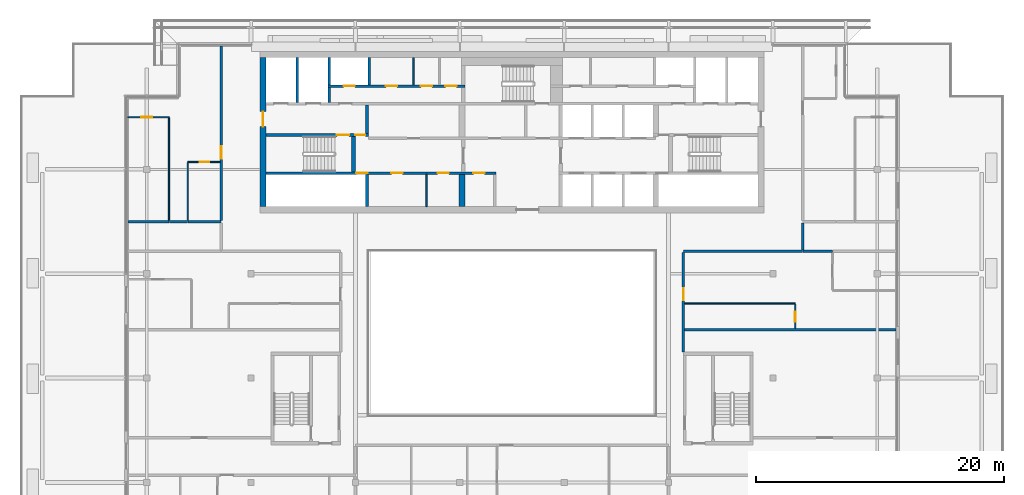
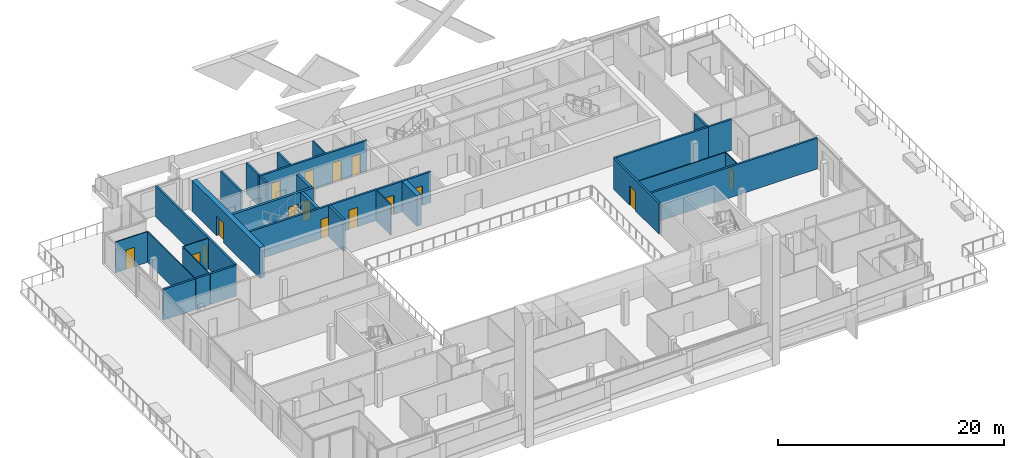
# One storey, part 19 of 29: 29 walls, 16 doors, 16 openings.
"""IFC4 building model written with IfcOpenShell, lengths in metres."""

from ifc_helpers import new_model, si_unit, direction, frame, frame_2d, origin, place, context, subcontext, project, spatial, rectangle, extrude, material, layer, layer_set, type_object, element, fill, save


model = new_model("IFC4")

# Units and contexts
model_context = context("Model", 3, precision=1e-05, world=origin(), true_north=direction((0.0, 1.0)))
body_context = subcontext(model_context, "Body", "Model", "MODEL_VIEW")
ifc_project = project(units=[si_unit("LENGTHUNIT", "METRE"), si_unit("AREAUNIT", "SQUARE_METRE"), si_unit("VOLUMEUNIT", "CUBIC_METRE"), si_unit("PLANEANGLEUNIT", "RADIAN"), si_unit("MASSUNIT", "GRAM", prefix="KILO")], contexts=[model_context])

# Site, building, storey
site_placement = place(None, origin())
site = spatial("IfcSite", under=ifc_project, at=site_placement, CompositionType="ELEMENT")
building_placement = place(site_placement, origin())
building = spatial("IfcBuilding", under=site, at=building_placement, Name="Saffron Gate Tower", CompositionType="ELEMENT")
storey_placement = place(building_placement, frame((0.0, 0.0, 270.75)))
storey = spatial("IfcBuildingStorey", under=building, at=storey_placement, Name="L65", CompositionType="ELEMENT", Elevation=270.75)

# Wall, opening, door
ifc_material_1 = material(Name="Concrete C50", Category="concrete")
ifc_layer_1 = layer(ifc_material_1, 0.5)
ifc_layer_set_1 = layer_set([ifc_layer_1], Name="CW22 RC core wall 500 C50")
wall_type_1 = type_object("IfcWallType", Name="CW22 RC core wall 500 C50", PredefinedType="SOLIDWALL", material=ifc_layer_set_1)
wall_1_placement = place(storey_placement, frame((67.550048828125, 62.39990234375, 0.0), z_axis=(0.0, 0.0, 1.0), x_axis=(0.0, 1.0, 0.0)))
wall_1 = element("IfcWall", 1, at=wall_1_placement, inside=storey, type_object=wall_type_1, Name="Wall CW22-L65-3", PredefinedType="SOLIDWALL", context=body_context, shape_type="SweptSolid", body=[
    extrude(rectangle(XDim=12.0, YDim=0.5, at=frame_2d((6.0, 0.0))), origin(), (0.0, 0.0, 1.0), 3.320068359375),
])
opening_1_placement = place(wall_1_placement, frame((6.449951171875, 0.0, 0.0)))
opening_1 = element("IfcOpeningElement", 2, at=opening_1_placement, cuts=wall_1, Name="Opening CR-10", PredefinedType="OPENING", context=body_context, shape_type="SweptSolid", body=[
    extrude(rectangle(XDim=1.199951171875, YDim=2.10009765625, at=frame_2d((0.60009765625, 1.050048828125))), frame((0.0, 0.260009765625, 0.0), z_axis=(0.0, -1.0, 0.0), x_axis=(1.0, 0.0, 0.0)), (0.0, 0.0, 1.0), 0.52001953125),
])
ifc_material_2 = material(Name="Steel fire door set", Category="steel")
door_type_1 = type_object("IfcDoorType", Name="CD7 Core entrance door 1200x2100 EI 120", OperationType="NOTDEFINED", PredefinedType="DOOR", material=ifc_material_2)
door_1_placement = place(opening_1_placement, origin())
door_1 = element("IfcDoor", 3, at=door_1_placement, inside=storey, type_object=door_type_1, Name="DOOR CR-10", OperationType="SINGLE_SWING_LEFT", OverallHeight=2.10009765625, OverallWidth=1.199951171875, PredefinedType="DOOR", context=body_context, shape_type="SweptSolid", body=[
    extrude(rectangle(XDim=1.199951171875, YDim=2.10009765625, at=frame_2d((0.60009765625, 1.050048828125))), frame((0.0, 0.02490234375, 0.0), z_axis=(0.0, -1.0, 0.0), x_axis=(1.0, 0.0, 0.0)), (0.0, 0.0, 1.0), 0.050048828125),
])
fill(opening_1, door_1)

# Wall
ifc_layer_2 = layer(ifc_material_1, 0.25)
ifc_layer_set_2 = layer_set([ifc_layer_2], Name="CW23 RC core wall 250 C50")
wall_type_2 = type_object("IfcWallType", Name="CW23 RC core wall 250 C50", PredefinedType="SOLIDWALL", material=ifc_layer_set_2)
wall_2_placement = place(storey_placement, frame((75.925048828125, 62.39990234375, 0.0), z_axis=(0.0, 0.0, 1.0), x_axis=(0.0, 1.0, 0.0)))
element("IfcWall", 4, at=wall_2_placement, inside=storey, type_object=wall_type_2, Name="Wall CW23-L65-5", PredefinedType="SOLIDWALL", context=body_context, shape_type="SweptSolid", body=[
    extrude(rectangle(XDim=2.60009765625, YDim=0.25, at=frame_2d((1.300048828125, 0.0))), origin(), (0.0, 0.0, 1.0), 3.320068359375),
])

# Wall, openings, doors
wall_3_placement = place(storey_placement, frame((67.800048828125, 68.175048828125, 0.0), z_axis=(0.0, 0.0, 1.0), x_axis=(1.0, 0.0, 0.0)))
wall_3 = element("IfcWall", 5, at=wall_3_placement, inside=storey, type_object=wall_type_2, Name="Wall CW23-L65-26", PredefinedType="SOLIDWALL", context=body_context, shape_type="SweptSolid", body=[
    extrude(rectangle(XDim=8.25, YDim=0.25, at=frame_2d((4.125, 0.0))), origin(), (0.0, 0.0, 1.0), 3.320068359375),
])
opening_2_placement = place(wall_3_placement, frame((5.699951171875, 0.0, 0.0)))
opening_2 = element("IfcOpeningElement", 6, at=opening_2_placement, cuts=wall_3, Name="Opening CR-15", PredefinedType="OPENING", context=body_context, shape_type="SweptSolid", body=[
    extrude(rectangle(XDim=1.0, YDim=2.10009765625, at=frame_2d((0.5, 1.050048828125))), frame((0.0, 0.135009765625, 0.0), z_axis=(0.0, -1.0, 0.0), x_axis=(1.0, 0.0, 0.0)), (0.0, 0.0, 1.0), 0.27001953125),
])
opening_3_placement = place(wall_3_placement, frame((7.199951171875, 0.0, 0.0)))
opening_3 = element("IfcOpeningElement", 7, at=opening_3_placement, cuts=wall_3, Name="Opening CR-06", PredefinedType="OPENING", context=body_context, shape_type="SweptSolid", body=[
    extrude(rectangle(XDim=0.800048828125, YDim=2.10009765625, at=frame_2d((0.39990234375, 1.050048828125))), frame((0.0, 0.135009765625, 0.0), z_axis=(0.0, -1.0, 0.0), x_axis=(1.0, 0.0, 0.0)), (0.0, 0.0, 1.0), 0.27001953125),
])
door_type_2 = type_object("IfcDoorType", Name="CD5 Stair door 1000x2100 EI 120", OperationType="NOTDEFINED", PredefinedType="DOOR", material=ifc_material_2)
door_2_placement = place(opening_2_placement, origin())
door_2 = element("IfcDoor", 8, at=door_2_placement, inside=storey, type_object=door_type_2, Name="DOOR CR-15", OperationType="SINGLE_SWING_RIGHT", OverallHeight=2.10009765625, OverallWidth=1.0, PredefinedType="DOOR", context=body_context, shape_type="SweptSolid", body=[
    extrude(rectangle(XDim=1.0, YDim=2.10009765625, at=frame_2d((0.5, 1.050048828125))), frame((0.0, 0.02490234375, 0.0), z_axis=(0.0, -1.0, 0.0), x_axis=(1.0, 0.0, 0.0)), (0.0, 0.0, 1.0), 0.050048828125),
])
fill(opening_2, door_2)
door_type_3 = type_object("IfcDoorType", Name="CD6 Lobby door 800x2100 EI 120", OperationType="NOTDEFINED", PredefinedType="DOOR", material=ifc_material_2)
door_3_placement = place(opening_3_placement, origin())
door_3 = element("IfcDoor", 9, at=door_3_placement, inside=storey, type_object=door_type_3, Name="DOOR CR-06", OperationType="SINGLE_SWING_LEFT", OverallHeight=2.10009765625, OverallWidth=0.800048828125, PredefinedType="DOOR", context=body_context, shape_type="SweptSolid", body=[
    extrude(rectangle(XDim=0.800048828125, YDim=2.10009765625, at=frame_2d((0.39990234375, 1.050048828125))), frame((0.0, 0.02490234375, 0.0), z_axis=(0.0, -1.0, 0.0), x_axis=(1.0, 0.0, 0.0)), (0.0, 0.0, 1.0), 0.050048828125),
])
fill(opening_3, door_3)

# Walls
wall_4_placement = place(storey_placement, frame((75.925048828125, 68.300048828125, 0.0), z_axis=(0.0, 0.0, 1.0), x_axis=(0.0, 1.0, 0.0)))
element("IfcWall", 10, at=wall_4_placement, inside=storey, type_object=wall_type_2, Name="Wall CW23-L65-28", PredefinedType="SOLIDWALL", context=body_context, shape_type="SweptSolid", body=[
    extrude(rectangle(XDim=2.300048828125, YDim=0.25, at=frame_2d((1.14990234375, 0.0))), origin(), (0.0, 0.0, 1.0), 3.320068359375),
])
ifc_layer_3 = layer(ifc_material_1, 0.449951171875)
ifc_layer_set_3 = layer_set([ifc_layer_3], Name="CW24 RC core wall 450 C50")
wall_type_3 = type_object("IfcWallType", Name="CW24 RC core wall 450 C50", PredefinedType="SOLIDWALL", material=ifc_layer_set_3)
wall_5_placement = place(storey_placement, frame((83.574951171875, 62.39990234375, 0.0), z_axis=(0.0, 0.0, 1.0), x_axis=(0.0, 1.0, 0.0)))
element("IfcWall", 11, at=wall_5_placement, inside=storey, type_object=wall_type_3, Name="Wall CW24-L65-7", PredefinedType="SOLIDWALL", context=body_context, shape_type="SweptSolid", body=[
    extrude(rectangle(XDim=2.60009765625, YDim=0.449951171875, at=frame_2d((1.300048828125, 0.0))), origin(), (0.0, 0.0, 1.0), 3.320068359375),
])

# Wall, openings, doors
ifc_layer_4 = layer(ifc_material_1, 0.199951171875)
ifc_layer_set_4 = layer_set([ifc_layer_4], Name="CW25 RC core wall 200 C50")
wall_type_4 = type_object("IfcWallType", Name="CW25 RC core wall 200 C50", PredefinedType="SOLIDWALL", material=ifc_layer_set_4)
wall_6_placement = place(storey_placement, frame((67.800048828125, 65.10009765625, 0.0), z_axis=(0.0, 0.0, 1.0), x_axis=(1.0, 0.0, 0.0)))
wall_6 = element("IfcWall", 12, at=wall_6_placement, inside=storey, type_object=wall_type_4, Name="Wall CW25-L65-13", PredefinedType="SOLIDWALL", context=body_context, shape_type="SweptSolid", body=[
    extrude(rectangle(XDim=18.5, YDim=0.199951171875, at=frame_2d((9.25, 0.0))), origin(), (0.0, 0.0, 1.0), 3.320068359375),
])
opening_4_placement = place(wall_6_placement, frame((7.27001953125, 0.0, 0.0)))
opening_4 = element("IfcOpeningElement", 13, at=opening_4_placement, cuts=wall_6, Name="Opening CR-49", PredefinedType="OPENING", context=body_context, shape_type="SweptSolid", body=[
    extrude(rectangle(XDim=0.89990234375, YDim=2.10009765625, at=frame_2d((0.449951171875, 1.050048828125))), frame((0.0, 0.10986328125, 0.0), z_axis=(0.0, -1.0, 0.0), x_axis=(1.0, 0.0, 0.0)), (0.0, 0.0, 1.0), 0.219970703125),
])
opening_5_placement = place(wall_6_placement, frame((10.10009765625, 0.0, 0.0)))
opening_5 = element("IfcOpeningElement", 14, at=opening_5_placement, cuts=wall_6, Name="Opening CR-64", PredefinedType="OPENING", context=body_context, shape_type="SweptSolid", body=[
    extrude(rectangle(XDim=0.89990234375, YDim=2.10009765625, at=frame_2d((0.449951171875, 1.050048828125))), frame((0.0, 0.10986328125, 0.0), z_axis=(0.0, -1.0, 0.0), x_axis=(1.0, 0.0, 0.0)), (0.0, 0.0, 1.0), 0.219970703125),
])
opening_6_placement = place(wall_6_placement, frame((13.81005859375, 0.0, 0.0)))
opening_6 = element("IfcOpeningElement", 15, at=opening_6_placement, cuts=wall_6, Name="Opening CR-65", PredefinedType="OPENING", context=body_context, shape_type="SweptSolid", body=[
    extrude(rectangle(XDim=0.89990234375, YDim=2.10009765625, at=frame_2d((0.449951171875, 1.050048828125))), frame((0.0, 0.10986328125, 0.0), z_axis=(0.0, -1.0, 0.0), x_axis=(1.0, 0.0, 0.0)), (0.0, 0.0, 1.0), 0.219970703125),
])
opening_7_placement = place(wall_6_placement, frame((16.699951171875, 0.0, 0.0)))
opening_7 = element("IfcOpeningElement", 16, at=opening_7_placement, cuts=wall_6, Name="Opening CR-69", PredefinedType="OPENING", context=body_context, shape_type="SweptSolid", body=[
    extrude(rectangle(XDim=0.89990234375, YDim=2.10009765625, at=frame_2d((0.449951171875, 1.050048828125))), frame((0.0, 0.10986328125, 0.0), z_axis=(0.0, -1.0, 0.0), x_axis=(1.0, 0.0, 0.0)), (0.0, 0.0, 1.0), 0.219970703125),
])
door_type_4 = type_object("IfcDoorType", Name="CD2 Riser door 900x2100 EI 60", OperationType="NOTDEFINED", PredefinedType="DOOR", material=ifc_material_2)
door_4_placement = place(opening_4_placement, origin())
door_4 = element("IfcDoor", 17, at=door_4_placement, inside=storey, type_object=door_type_4, Name="DOOR CR-49", OperationType="SINGLE_SWING_LEFT", OverallHeight=2.10009765625, OverallWidth=0.89990234375, PredefinedType="DOOR", context=body_context, shape_type="SweptSolid", body=[
    extrude(rectangle(XDim=0.89990234375, YDim=2.10009765625, at=frame_2d((0.449951171875, 1.050048828125))), frame((0.0, 0.02490234375, 0.0), z_axis=(0.0, -1.0, 0.0), x_axis=(1.0, 0.0, 0.0)), (0.0, 0.0, 1.0), 0.050048828125),
])
fill(opening_4, door_4)
door_type_5 = type_object("IfcDoorType", Name="CD9 Room door 900x2100 EI 60", OperationType="NOTDEFINED", PredefinedType="DOOR", material=ifc_material_2)
door_5_placement = place(opening_5_placement, origin())
door_5 = element("IfcDoor", 18, at=door_5_placement, inside=storey, type_object=door_type_5, Name="DOOR CR-64", OperationType="SINGLE_SWING_RIGHT", OverallHeight=2.10009765625, OverallWidth=0.89990234375, PredefinedType="DOOR", context=body_context, shape_type="SweptSolid", body=[
    extrude(rectangle(XDim=0.89990234375, YDim=2.10009765625, at=frame_2d((0.449951171875, 1.050048828125))), frame((0.0, 0.02490234375, 0.0), z_axis=(0.0, -1.0, 0.0), x_axis=(1.0, 0.0, 0.0)), (0.0, 0.0, 1.0), 0.050048828125),
])
fill(opening_5, door_5)
door_6_placement = place(opening_6_placement, origin())
door_6 = element("IfcDoor", 19, at=door_6_placement, inside=storey, type_object=door_type_5, Name="DOOR CR-65", OperationType="SINGLE_SWING_RIGHT", OverallHeight=2.10009765625, OverallWidth=0.89990234375, PredefinedType="DOOR", context=body_context, shape_type="SweptSolid", body=[
    extrude(rectangle(XDim=0.89990234375, YDim=2.10009765625, at=frame_2d((0.449951171875, 1.050048828125))), frame((0.0, 0.02490234375, 0.0), z_axis=(0.0, -1.0, 0.0), x_axis=(1.0, 0.0, 0.0)), (0.0, 0.0, 1.0), 0.050048828125),
])
fill(opening_6, door_6)
door_7_placement = place(opening_7_placement, origin())
door_7 = element("IfcDoor", 20, at=door_7_placement, inside=storey, type_object=door_type_5, Name="DOOR CR-69", OperationType="SINGLE_SWING_RIGHT", OverallHeight=2.10009765625, OverallWidth=0.89990234375, PredefinedType="DOOR", context=body_context, shape_type="SweptSolid", body=[
    extrude(rectangle(XDim=0.89990234375, YDim=2.10009765625, at=frame_2d((0.449951171875, 1.050048828125))), frame((0.0, 0.02490234375, 0.0), z_axis=(0.0, -1.0, 0.0), x_axis=(1.0, 0.0, 0.0)), (0.0, 0.0, 1.0), 0.050048828125),
])
fill(opening_7, door_7)

# Walls
wall_7_placement = place(storey_placement, frame((70.300048828125, 70.800048828125, 0.0), z_axis=(0.0, 0.0, 1.0), x_axis=(0.0, 1.0, 0.0)))
element("IfcWall", 21, at=wall_7_placement, inside=storey, type_object=wall_type_4, Name="Wall CW25-L65-31", PredefinedType="SOLIDWALL", context=body_context, shape_type="SweptSolid", body=[
    extrude(rectangle(XDim=3.599853515625, YDim=0.199951171875, at=frame_2d((1.7998046875, 0.0))), origin(), (0.0, 0.0, 1.0), 3.320068359375),
])
wall_8_placement = place(storey_placement, frame((72.89990234375, 70.800048828125, 0.0), z_axis=(0.0, 0.0, 1.0), x_axis=(0.0, 1.0, 0.0)))
element("IfcWall", 22, at=wall_8_placement, inside=storey, type_object=wall_type_4, Name="Wall CW25-L65-32", PredefinedType="SOLIDWALL", context=body_context, shape_type="SweptSolid", body=[
    extrude(rectangle(XDim=1.199951171875, YDim=0.199951171875, at=frame_2d((0.60009765625, 0.0))), origin(), (0.0, 0.0, 1.0), 3.320068359375),
])

# Wall, openings, doors
wall_9_placement = place(storey_placement, frame((72.800048828125, 72.10009765625, 0.0), z_axis=(0.0, 0.0, 1.0), x_axis=(1.0, 0.0, 0.0)))
wall_9 = element("IfcWall", 23, at=wall_9_placement, inside=storey, type_object=wall_type_4, Name="Wall CW25-L65-37", PredefinedType="SOLIDWALL", context=body_context, shape_type="SweptSolid", body=[
    extrude(rectangle(XDim=11.0, YDim=0.199951171875, at=frame_2d((5.5, 0.0))), origin(), (0.0, 0.0, 1.0), 3.320068359375),
])
opening_8_placement = place(wall_9_placement, frame((1.25, 0.0, 0.0)))
opening_8 = element("IfcOpeningElement", 24, at=opening_8_placement, cuts=wall_9, Name="Opening CR-71", PredefinedType="OPENING", context=body_context, shape_type="SweptSolid", body=[
    extrude(rectangle(XDim=0.89990234375, YDim=2.10009765625, at=frame_2d((0.449951171875, 1.050048828125))), frame((0.0, 0.10986328125, 0.0), z_axis=(0.0, -1.0, 0.0), x_axis=(1.0, 0.0, 0.0)), (0.0, 0.0, 1.0), 0.219970703125),
])
opening_9_placement = place(wall_9_placement, frame((4.64990234375, 0.0, 0.0)))
opening_9 = element("IfcOpeningElement", 25, at=opening_9_placement, cuts=wall_9, Name="Opening CR-55", PredefinedType="OPENING", context=body_context, shape_type="SweptSolid", body=[
    extrude(rectangle(XDim=0.89990234375, YDim=2.10009765625, at=frame_2d((0.449951171875, 1.050048828125))), frame((0.0, 0.10986328125, 0.0), z_axis=(0.0, -1.0, 0.0), x_axis=(1.0, 0.0, 0.0)), (0.0, 0.0, 1.0), 0.219970703125),
])
opening_10_placement = place(wall_9_placement, frame((7.469970703125, 0.0, 0.0)))
opening_10 = element("IfcOpeningElement", 26, at=opening_10_placement, cuts=wall_9, Name="Opening CR-58", PredefinedType="OPENING", context=body_context, shape_type="SweptSolid", body=[
    extrude(rectangle(XDim=0.89990234375, YDim=2.10009765625, at=frame_2d((0.449951171875, 1.050048828125))), frame((0.0, 0.10986328125, 0.0), z_axis=(0.0, -1.0, 0.0), x_axis=(1.0, 0.0, 0.0)), (0.0, 0.0, 1.0), 0.219970703125),
])
opening_11_placement = place(wall_9_placement, frame((9.445068359375, 0.0, 0.0)))
opening_11 = element("IfcOpeningElement", 27, at=opening_11_placement, cuts=wall_9, Name="Opening CR-59", PredefinedType="OPENING", context=body_context, shape_type="SweptSolid", body=[
    extrude(rectangle(XDim=0.89990234375, YDim=2.10009765625, at=frame_2d((0.449951171875, 1.050048828125))), frame((0.0, 0.10986328125, 0.0), z_axis=(0.0, -1.0, 0.0), x_axis=(1.0, 0.0, 0.0)), (0.0, 0.0, 1.0), 0.219970703125),
])
door_8_placement = place(opening_8_placement, origin())
door_8 = element("IfcDoor", 28, at=door_8_placement, inside=storey, type_object=door_type_4, Name="DOOR CR-71", OperationType="SINGLE_SWING_LEFT", OverallHeight=2.10009765625, OverallWidth=0.89990234375, PredefinedType="DOOR", context=body_context, shape_type="SweptSolid", body=[
    extrude(rectangle(XDim=0.89990234375, YDim=2.10009765625, at=frame_2d((0.449951171875, 1.050048828125))), frame((0.0, 0.02490234375, 0.0), z_axis=(0.0, -1.0, 0.0), x_axis=(1.0, 0.0, 0.0)), (0.0, 0.0, 1.0), 0.050048828125),
])
fill(opening_8, door_8)
door_9_placement = place(opening_9_placement, origin())
door_9 = element("IfcDoor", 29, at=door_9_placement, inside=storey, type_object=door_type_5, Name="DOOR CR-55", OperationType="SINGLE_SWING_LEFT", OverallHeight=2.10009765625, OverallWidth=0.89990234375, PredefinedType="DOOR", context=body_context, shape_type="SweptSolid", body=[
    extrude(rectangle(XDim=0.89990234375, YDim=2.10009765625, at=frame_2d((0.449951171875, 1.050048828125))), frame((0.0, 0.02490234375, 0.0), z_axis=(0.0, -1.0, 0.0), x_axis=(1.0, 0.0, 0.0)), (0.0, 0.0, 1.0), 0.050048828125),
])
fill(opening_9, door_9)
door_10_placement = place(opening_10_placement, origin())
door_10 = element("IfcDoor", 30, at=door_10_placement, inside=storey, type_object=door_type_5, Name="DOOR CR-58", OperationType="SINGLE_SWING_LEFT", OverallHeight=2.10009765625, OverallWidth=0.89990234375, PredefinedType="DOOR", context=body_context, shape_type="SweptSolid", body=[
    extrude(rectangle(XDim=0.89990234375, YDim=2.10009765625, at=frame_2d((0.449951171875, 1.050048828125))), frame((0.0, 0.02490234375, 0.0), z_axis=(0.0, -1.0, 0.0), x_axis=(1.0, 0.0, 0.0)), (0.0, 0.0, 1.0), 0.050048828125),
])
fill(opening_10, door_10)
door_11_placement = place(opening_11_placement, origin())
door_11 = element("IfcDoor", 31, at=door_11_placement, inside=storey, type_object=door_type_5, Name="DOOR CR-59", OperationType="SINGLE_SWING_LEFT", OverallHeight=2.10009765625, OverallWidth=0.89990234375, PredefinedType="DOOR", context=body_context, shape_type="SweptSolid", body=[
    extrude(rectangle(XDim=0.89990234375, YDim=2.10009765625, at=frame_2d((0.449951171875, 1.050048828125))), frame((0.0, 0.02490234375, 0.0), z_axis=(0.0, -1.0, 0.0), x_axis=(1.0, 0.0, 0.0)), (0.0, 0.0, 1.0), 0.050048828125),
])
fill(opening_11, door_11)

# Walls
for number, where, z_axis, x_axis, name in (
    (32, (72.89990234375, 72.199951171875, 0.0), (0.0, 0.0, 1.0), (0.0, 1.0, 0.0), "Wall CW25-L65-39"),
    (33, (76.10009765625, 72.199951171875, 0.0), (0.0, 0.0, 1.0), (0.0, 1.0, 0.0), "Wall CW25-L65-40"),
):
    element("IfcWall", number, at=place(storey_placement, frame(where, z_axis=z_axis, x_axis=x_axis)), inside=storey, type_object=wall_type_4, Name=name, PredefinedType="SOLIDWALL", context=body_context, shape_type="SweptSolid", body=[
        extrude(rectangle(XDim=2.199951171875, YDim=0.199951171875, at=frame_2d((1.10009765625, 0.0))), origin(), (0.0, 0.0, 1.0), 3.320068359375),
    ])
ifc_layer_5 = layer(ifc_material_1, 0.300048828125)
ifc_layer_set_5 = layer_set([ifc_layer_5], Name="CW26 RC core wall 300 C50")
wall_type_5 = type_object("IfcWallType", Name="CW26 RC core wall 300 C50", PredefinedType="SOLIDWALL", material=ifc_layer_set_5)
wall_10_placement = place(storey_placement, frame((74.85009765625, 65.199951171875, 0.0), z_axis=(0.0, 0.0, 1.0), x_axis=(0.0, 1.0, 0.0)))
element("IfcWall", 34, at=wall_10_placement, inside=storey, type_object=wall_type_5, Name="Wall CW26-L65-15", PredefinedType="SOLIDWALL", context=body_context, shape_type="SweptSolid", body=[
    extrude(rectangle(XDim=2.85009765625, YDim=0.300048828125, at=frame_2d((1.425048828125, 0.0))), origin(), (0.0, 0.0, 1.0), 3.320068359375),
])
ifc_material_3 = material(Name="Gypsum board partition on steel studs", Category="steel")
ifc_layer_6 = layer(ifc_material_3, 0.1201171875)
ifc_layer_set_6 = layer_set([ifc_layer_6], Name="CW8 Core partition 120")
wall_type_6 = type_object("IfcWallType", Name="CW8 Core partition 120", PredefinedType="PARTITIONING", material=ifc_layer_set_6)
wall_11_placement = place(storey_placement, frame((80.7099609375, 62.39990234375, 0.0), z_axis=(0.0, 0.0, 1.0), x_axis=(0.0, 1.0, 0.0)))
element("IfcWall", 35, at=wall_11_placement, inside=storey, type_object=wall_type_6, Name="Wall CW8-L65-6", PredefinedType="PARTITIONING", context=body_context, shape_type="SweptSolid", body=[
    extrude(rectangle(XDim=2.60009765625, YDim=0.1201171875, at=frame_2d((1.300048828125, 0.0))), origin(), (0.0, 0.0, 1.0), 3.320068359375),
])
wall_12_placement = place(storey_placement, frame((79.659912109375, 72.199951171875, 0.0), z_axis=(0.0, 0.0, 1.0), x_axis=(0.0, 1.0, 0.0)))
element("IfcWall", 36, at=wall_12_placement, inside=storey, type_object=wall_type_6, Name="Wall CW8-L65-41", PredefinedType="PARTITIONING", context=body_context, shape_type="SweptSolid", body=[
    extrude(rectangle(XDim=2.199951171875, YDim=0.1201171875, at=frame_2d((1.10009765625, 0.0))), origin(), (0.0, 0.0, 1.0), 3.320068359375),
])
ifc_material_4 = material(Name="Plasterboard on steel studs", Category="steel")
ifc_layer_7 = layer(ifc_material_4, 0.10009765625)
ifc_layer_set_7 = layer_set([ifc_layer_7], Name="PW1 Partition 100")
wall_type_7 = type_object("IfcWallType", Name="PW1 Partition 100", PredefinedType="PARTITIONING", material=ifc_layer_set_7)
wall_13_placement = place(storey_placement, frame((101.5, 54.60009765625, 0.0), z_axis=(0.0, 0.0, 1.0), x_axis=(1.0, 0.0, 0.0)))
element("IfcWall", 37, at=wall_13_placement, inside=storey, type_object=wall_type_7, Name="Partition E2-17", PredefinedType="PARTITIONING", context=body_context, shape_type="SweptSolid", body=[
    extrude(rectangle(XDim=8.89990234375, YDim=0.10009765625, at=frame_2d((4.449951171875, 0.0))), origin(), (0.0, 0.0, 1.0), 3.320068359375),
])

# Wall, opening, door
wall_14_placement = place(storey_placement, frame((64.10009765625, 66.0, 0.0), z_axis=(0.0, 0.0, 1.0), x_axis=(-1.0, 0.0, 0.0)))
wall_14 = element("IfcWall", 38, at=wall_14_placement, inside=storey, type_object=wall_type_7, Name="Partition E2-31", PredefinedType="PARTITIONING", context=body_context, shape_type="SweptSolid", body=[
    extrude(rectangle(XDim=2.60009765625, YDim=0.10009765625, at=frame_2d((1.300048828125, 0.0))), origin(), (0.0, 0.0, 1.0), 3.320068359375),
])
opening_12_placement = place(wall_14_placement, frame((0.85009765625, 0.0, 0.0)))
opening_12 = element("IfcOpeningElement", 39, at=opening_12_placement, cuts=wall_14, Name="Opening E2-30", PredefinedType="OPENING", context=body_context, shape_type="SweptSolid", body=[
    extrude(rectangle(XDim=0.800048828125, YDim=2.10009765625, at=frame_2d((0.39990234375, 1.050048828125))), frame((0.0, 0.06005859375, 0.0), z_axis=(0.0, -1.0, 0.0), x_axis=(1.0, 0.0, 0.0)), (0.0, 0.0, 1.0), 0.1201171875),
])
ifc_material_5 = material(Name="Timber door set", Category="wood")
door_type_6 = type_object("IfcDoorType", Name="RD2 Bathroom door 800x2100", OperationType="NOTDEFINED", PredefinedType="DOOR", material=ifc_material_5)
door_12_placement = place(opening_12_placement, origin())
door_12 = element("IfcDoor", 40, at=door_12_placement, inside=storey, type_object=door_type_6, Name="Door E2-30", OperationType="SINGLE_SWING_LEFT", OverallHeight=2.10009765625, OverallWidth=0.800048828125, PredefinedType="DOOR", context=body_context, shape_type="SweptSolid", body=[
    extrude(rectangle(XDim=0.800048828125, YDim=2.10009765625, at=frame_2d((0.39990234375, 1.050048828125))), frame((0.0, 0.02490234375, 0.0), z_axis=(0.0, -1.0, 0.0), x_axis=(1.0, 0.0, 0.0)), (0.0, 0.0, 1.0), 0.050048828125),
])
fill(opening_12, door_12)

wall_15_placement = place(storey_placement, frame((60.0, 69.60009765625, 0.0), z_axis=(0.0, 0.0, 1.0), x_axis=(-1.0, 0.0, 0.0)))
wall_15 = element("IfcWall", 41, at=wall_15_placement, inside=storey, type_object=wall_type_7, Name="Partition E2-32", PredefinedType="PARTITIONING", context=body_context, shape_type="SweptSolid", body=[
    extrude(rectangle(XDim=3.320068359375, YDim=0.10009765625, at=frame_2d((1.66015625, 0.0))), origin(), (0.0, 0.0, 1.0), 3.320068359375),
])
opening_13_placement = place(wall_15_placement, frame((1.35009765625, 0.0, 0.0)))
opening_13 = element("IfcOpeningElement", 42, at=opening_13_placement, cuts=wall_15, Name="Opening E2-20", PredefinedType="OPENING", context=body_context, shape_type="SweptSolid", body=[
    extrude(rectangle(XDim=0.89990234375, YDim=2.10009765625, at=frame_2d((0.449951171875, 1.050048828125))), frame((0.0, 0.06005859375, 0.0), z_axis=(0.0, -1.0, 0.0), x_axis=(1.0, 0.0, 0.0)), (0.0, 0.0, 1.0), 0.1201171875),
])
door_type_7 = type_object("IfcDoorType", Name="RD1 Room door 900x2100", OperationType="NOTDEFINED", PredefinedType="DOOR", material=ifc_material_5)
door_13_placement = place(opening_13_placement, origin())
door_13 = element("IfcDoor", 43, at=door_13_placement, inside=storey, type_object=door_type_7, Name="Door E2-20", OperationType="SINGLE_SWING_RIGHT", OverallHeight=2.10009765625, OverallWidth=0.89990234375, PredefinedType="DOOR", context=body_context, shape_type="SweptSolid", body=[
    extrude(rectangle(XDim=0.89990234375, YDim=2.10009765625, at=frame_2d((0.449951171875, 1.050048828125))), frame((0.0, 0.02490234375, 0.0), z_axis=(0.0, -1.0, 0.0), x_axis=(1.0, 0.0, 0.0)), (0.0, 0.0, 1.0), 0.050048828125),
])
fill(opening_13, door_13)

# Walls
wall_16_placement = place(storey_placement, frame((60.0, 69.550048828125, 0.0), z_axis=(0.0, 0.0, 1.0), x_axis=(0.0, -1.0, 0.0)))
element("IfcWall", 44, at=wall_16_placement, inside=storey, type_object=wall_type_7, Name="Partition E2-35", PredefinedType="PARTITIONING", context=body_context, shape_type="SweptSolid", body=[
    extrude(rectangle(XDim=8.25, YDim=0.10009765625, at=frame_2d((4.125, 0.0))), origin(), (0.0, 0.0, 1.0), 3.320068359375),
])
wall_17_placement = place(storey_placement, frame((61.5, 65.949951171875, 0.0), z_axis=(0.0, 0.0, 1.0), x_axis=(0.0, -1.0, 0.0)))
element("IfcWall", 45, at=wall_17_placement, inside=storey, type_object=wall_type_7, Name="Partition E2-37", PredefinedType="PARTITIONING", context=body_context, shape_type="SweptSolid", body=[
    extrude(rectangle(XDim=4.64990234375, YDim=0.10009765625, at=frame_2d((2.324951171875, 0.0))), origin(), (0.0, 0.0, 1.0), 3.320068359375),
])

# Wall, opening, door
wall_18_placement = place(storey_placement, frame((110.39990234375, 52.60009765625, 0.0), z_axis=(0.0, 0.0, 1.0), x_axis=(0.0, 1.0, 0.0)))
wall_18 = element("IfcWall", 46, at=wall_18_placement, inside=storey, type_object=wall_type_7, Name="Partition E2-69", PredefinedType="PARTITIONING", context=body_context, shape_type="SweptSolid", body=[
    extrude(rectangle(XDim=1.949951171875, YDim=0.10009765625, at=frame_2d((0.97509765625, 0.0))), origin(), (0.0, 0.0, 1.0), 3.320068359375),
])
opening_14_placement = place(wall_18_placement, frame((0.550048828125, 0.0, 0.0)))
opening_14 = element("IfcOpeningElement", 47, at=opening_14_placement, cuts=wall_18, Name="Opening E2-31", PredefinedType="OPENING", context=body_context, shape_type="SweptSolid", body=[
    extrude(rectangle(XDim=0.800048828125, YDim=2.10009765625, at=frame_2d((0.39990234375, 1.050048828125))), frame((0.0, 0.06005859375, 0.0), z_axis=(0.0, -1.0, 0.0), x_axis=(1.0, 0.0, 0.0)), (0.0, 0.0, 1.0), 0.1201171875),
])
door_14_placement = place(opening_14_placement, origin())
door_14 = element("IfcDoor", 48, at=door_14_placement, inside=storey, type_object=door_type_6, Name="Door E2-31", OperationType="SINGLE_SWING_LEFT", OverallHeight=2.10009765625, OverallWidth=0.800048828125, PredefinedType="DOOR", context=body_context, shape_type="SweptSolid", body=[
    extrude(rectangle(XDim=0.800048828125, YDim=2.10009765625, at=frame_2d((0.39990234375, 1.050048828125))), frame((0.0, 0.02490234375, 0.0), z_axis=(0.0, -1.0, 0.0), x_axis=(1.0, 0.0, 0.0)), (0.0, 0.0, 1.0), 0.050048828125),
])
fill(opening_14, door_14)

# Wall
ifc_material_6 = material(Name="Clay brick masonry, rendered", Category="masonry")
ifc_layer_8 = layer(ifc_material_6, 0.199951171875)
ifc_layer_set_8 = layer_set([ifc_layer_8], Name="PW3 Corridor wall 200")
wall_type_8 = type_object("IfcWallType", Name="PW3 Corridor wall 200", PredefinedType="PARTITIONING", material=ifc_layer_set_8)
wall_19_placement = place(storey_placement, frame((101.39990234375, 58.800048828125, 0.0), z_axis=(0.0, 0.0, 1.0), x_axis=(1.0, 0.0, 0.0)))
element("IfcWall", 49, at=wall_19_placement, inside=storey, type_object=wall_type_8, Name="Wall E2-21", PredefinedType="PARTITIONING", context=body_context, shape_type="SweptSolid", body=[
    extrude(rectangle(XDim=9.60009765625, YDim=0.199951171875, at=frame_2d((4.800048828125, 0.0))), origin(), (0.0, 0.0, 1.0), 3.320068359375),
])

# Wall, opening, door
wall_20_placement = place(storey_placement, frame((64.199951171875, 61.300048828125, 0.0), z_axis=(0.0, 0.0, 1.0), x_axis=(0.0, 1.0, 0.0)))
wall_20 = element("IfcWall", 50, at=wall_20_placement, inside=storey, type_object=wall_type_8, Name="Wall E2-41", PredefinedType="PARTITIONING", context=body_context, shape_type="SweptSolid", body=[
    extrude(rectangle(XDim=14.02001953125, YDim=0.199951171875, at=frame_2d((7.010009765625, 0.0))), origin(), (0.0, 0.0, 1.0), 3.320068359375),
])
opening_15_placement = place(wall_20_placement, frame((4.949951171875, 0.0, 0.0)))
opening_15 = element("IfcOpeningElement", 51, at=opening_15_placement, cuts=wall_20, Name="Opening E2-5", PredefinedType="OPENING", context=body_context, shape_type="SweptSolid", body=[
    extrude(rectangle(XDim=1.0, YDim=2.10009765625, at=frame_2d((0.5, 1.050048828125))), frame((0.0, 0.10986328125, 0.0), z_axis=(0.0, -1.0, 0.0), x_axis=(1.0, 0.0, 0.0)), (0.0, 0.0, 1.0), 0.219970703125),
])
ifc_material_7 = material(Name="Timber fire door set", Category="wood")
door_type_8 = type_object("IfcDoorType", Name="FD1 Flat entry door 1000x2100", OperationType="NOTDEFINED", PredefinedType="DOOR", material=ifc_material_7)
door_15_placement = place(opening_15_placement, origin())
door_15 = element("IfcDoor", 52, at=door_15_placement, inside=storey, type_object=door_type_8, Name="Door E2-5", OperationType="SINGLE_SWING_LEFT", OverallHeight=2.10009765625, OverallWidth=1.0, PredefinedType="DOOR", context=body_context, shape_type="SweptSolid", body=[
    extrude(rectangle(XDim=1.0, YDim=2.10009765625, at=frame_2d((0.5, 1.050048828125))), frame((0.0, 0.02490234375, 0.0), z_axis=(0.0, -1.0, 0.0), x_axis=(1.0, 0.0, 0.0)), (0.0, 0.0, 1.0), 0.050048828125),
])
fill(opening_15, door_15)

wall_21_placement = place(storey_placement, frame((101.39990234375, 58.699951171875, 0.0), z_axis=(0.0, 0.0, 1.0), x_axis=(0.0, -1.0, 0.0)))
wall_21 = element("IfcWall", 53, at=wall_21_placement, inside=storey, type_object=wall_type_8, Name="Wall E2-64", PredefinedType="PARTITIONING", context=body_context, shape_type="SweptSolid", body=[
    extrude(rectangle(XDim=8.0, YDim=0.199951171875, at=frame_2d((4.0, 0.0))), origin(), (0.0, 0.0, 1.0), 3.320068359375),
])
opening_16_placement = place(wall_21_placement, frame((2.85009765625, 0.0, 0.0)))
opening_16 = element("IfcOpeningElement", 54, at=opening_16_placement, cuts=wall_21, Name="Opening E2-6", PredefinedType="OPENING", context=body_context, shape_type="SweptSolid", body=[
    extrude(rectangle(XDim=1.0, YDim=2.10009765625, at=frame_2d((0.5, 1.050048828125))), frame((0.0, 0.10986328125, 0.0), z_axis=(0.0, -1.0, 0.0), x_axis=(1.0, 0.0, 0.0)), (0.0, 0.0, 1.0), 0.219970703125),
])
door_16_placement = place(opening_16_placement, origin())
door_16 = element("IfcDoor", 55, at=door_16_placement, inside=storey, type_object=door_type_8, Name="Door E2-6", OperationType="SINGLE_SWING_LEFT", OverallHeight=2.10009765625, OverallWidth=1.0, PredefinedType="DOOR", context=body_context, shape_type="SweptSolid", body=[
    extrude(rectangle(XDim=1.0, YDim=2.10009765625, at=frame_2d((0.5, 1.050048828125))), frame((0.0, 0.02490234375, 0.0), z_axis=(0.0, -1.0, 0.0), x_axis=(1.0, 0.0, 0.0)), (0.0, 0.0, 1.0), 0.050048828125),
])
fill(opening_16, door_16)

# Walls
ifc_layer_9 = layer(ifc_material_6, 0.199951171875)
ifc_layer_set_9 = layer_set([ifc_layer_9], Name="PW5 Room wall 200")
wall_type_9 = type_object("IfcWallType", Name="PW5 Room wall 200", PredefinedType="PARTITIONING", material=ifc_layer_set_9)
wall_22_placement = place(storey_placement, frame((101.5, 52.5, 0.0), z_axis=(0.0, 0.0, 1.0), x_axis=(1.0, 0.0, 0.0)))
element("IfcWall", 56, at=wall_22_placement, inside=storey, type_object=wall_type_9, Name="Wall E2-15", PredefinedType="PARTITIONING", context=body_context, shape_type="SweptSolid", body=[
    extrude(rectangle(XDim=17.02001953125, YDim=0.199951171875, at=frame_2d((8.510009765625, 0.0))), origin(), (0.0, 0.0, 1.0), 3.320068359375),
])
wall_23_placement = place(storey_placement, frame((111.02001953125, 58.800048828125, 0.0), z_axis=(0.0, 0.0, 1.0), x_axis=(1.0, 0.0, 0.0)))
element("IfcWall", 57, at=wall_23_placement, inside=storey, type_object=wall_type_9, Name="Wall E2-23", PredefinedType="PARTITIONING", context=body_context, shape_type="SweptSolid", body=[
    extrude(rectangle(XDim=2.35986328125, YDim=0.199951171875, at=frame_2d((1.179931640625, 0.0))), origin(), (0.0, 0.0, 1.0), 3.320068359375),
])
wall_24_placement = place(storey_placement, frame((56.699951171875, 61.199951171875, 0.0), z_axis=(0.0, 0.0, 1.0), x_axis=(1.0, 0.0, 0.0)))
element("IfcWall", 58, at=wall_24_placement, inside=storey, type_object=wall_type_9, Name="Wall E2-25", PredefinedType="PARTITIONING", context=body_context, shape_type="SweptSolid", body=[
    extrude(rectangle(XDim=3.280029296875, YDim=0.199951171875, at=frame_2d((1.64013671875, 0.0))), origin(), (0.0, 0.0, 1.0), 3.320068359375),
])
wall_25_placement = place(storey_placement, frame((60.02001953125, 61.199951171875, 0.0), z_axis=(0.0, 0.0, 1.0), x_axis=(1.0, 0.0, 0.0)))
element("IfcWall", 59, at=wall_25_placement, inside=storey, type_object=wall_type_9, Name="Wall E2-26", PredefinedType="PARTITIONING", context=body_context, shape_type="SweptSolid", body=[
    extrude(rectangle(XDim=1.4599609375, YDim=0.199951171875, at=frame_2d((0.72998046875, 0.0))), origin(), (0.0, 0.0, 1.0), 3.320068359375),
])
wall_26_placement = place(storey_placement, frame((61.52001953125, 61.199951171875, 0.0), z_axis=(0.0, 0.0, 1.0), x_axis=(1.0, 0.0, 0.0)))
element("IfcWall", 60, at=wall_26_placement, inside=storey, type_object=wall_type_9, Name="Wall E2-27", PredefinedType="PARTITIONING", context=body_context, shape_type="SweptSolid", body=[
    extrude(rectangle(XDim=2.659912109375, YDim=0.199951171875, at=frame_2d((1.330078125, 0.0))), origin(), (0.0, 0.0, 1.0), 3.320068359375),
])
wall_27_placement = place(storey_placement, frame((111.0, 61.10009765625, 0.0), z_axis=(0.0, 0.0, 1.0), x_axis=(0.0, -1.0, 0.0)))
element("IfcWall", 61, at=wall_27_placement, inside=storey, type_object=wall_type_9, Name="Wall E2-71", PredefinedType="PARTITIONING", context=body_context, shape_type="SweptSolid", body=[
    extrude(rectangle(XDim=2.2001953125, YDim=0.199951171875, at=frame_2d((1.10009765625, 0.0))), origin(), (0.0, 0.0, 1.0), 3.320068359375),
])

save(model, "model.ifc")
